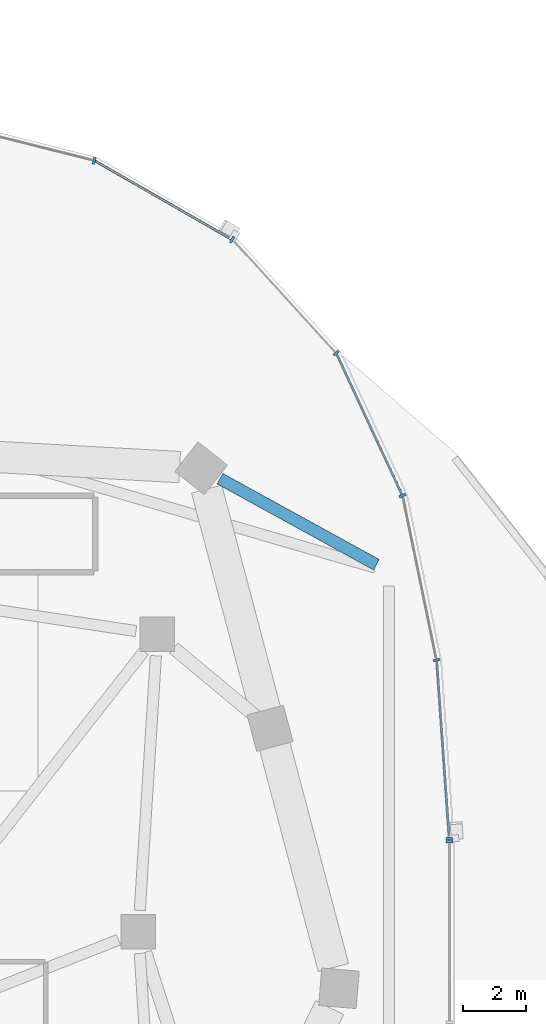
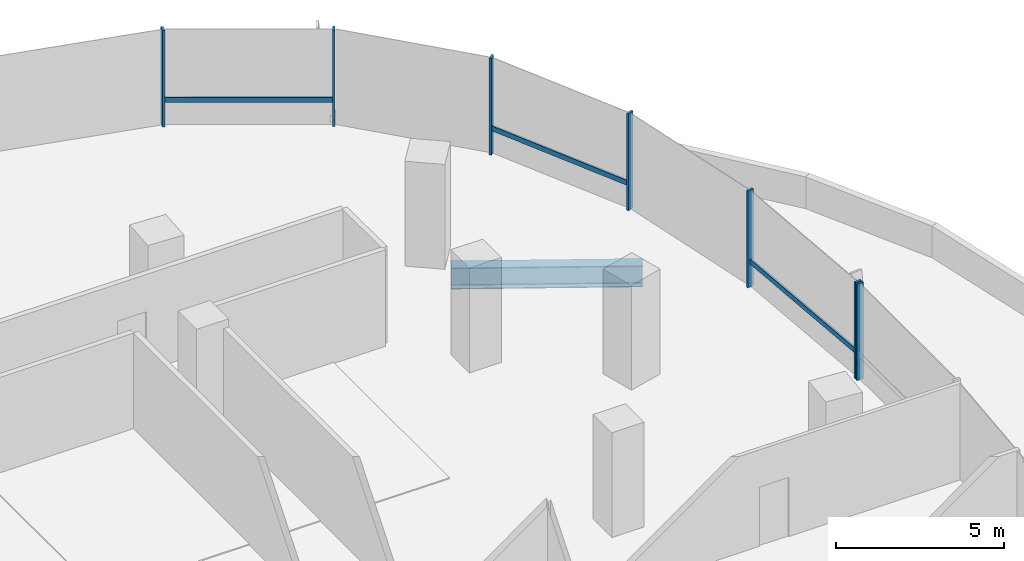
# One storey, part 15 of 28: 10 members, 1 beam, 2 elements without a shape of their own.
"""IFC4 building model written with IfcOpenShell, lengths in metres."""

from ifc_helpers import new_model, si_unit, direction, frame, origin, origin_2d, place, context, subcontext, project, spatial, rectangle, i_section, extrude, material, material_profile, profile_set, type_object, element, aggregate, save


model = new_model("IFC4")

# Units and contexts
model_context = context("Model", 3, precision=1e-05, world=origin(), true_north=direction((0.0, 1.0)))
body_context = subcontext(model_context, "Body", "Model", "MODEL_VIEW")
ifc_project = project(units=[si_unit("LENGTHUNIT", "METRE"), si_unit("AREAUNIT", "SQUARE_METRE"), si_unit("VOLUMEUNIT", "CUBIC_METRE"), si_unit("PLANEANGLEUNIT", "RADIAN"), si_unit("MASSUNIT", "GRAM", prefix="KILO"), si_unit("THERMODYNAMICTEMPERATUREUNIT", "KELVIN"), si_unit("POWERUNIT", "WATT")], contexts=[model_context])

# Site, building, storey
site_placement = place(None, origin())
site = spatial("IfcSite", under=ifc_project, at=site_placement, CompositionType="ELEMENT")
building_placement = place(site_placement, origin())
building = spatial("IfcBuilding", under=site, at=building_placement, Name="Cundina Bronze Exchange", CompositionType="ELEMENT")
storey_placement = place(building_placement, frame((0.0, 0.0, 24.0)))
storey = spatial("IfcBuildingStorey", under=building, at=storey_placement, Name="L05", CompositionType="ELEMENT", Elevation=24.0)

# Beam
ifc_material_1 = material(Name="Steel ASTM A992 Grade 50", Category="steel")
ifc_material_profile_1 = material_profile(ifc_material_1, i_section(OverallWidth=0.381103515625, OverallDepth=0.77294921875, WebThickness=0.0166015625, FlangeThickness=0.027099609375, FilletRadius=0.01904296875, at=origin_2d()), Name="W30X173", Category="steel")
ifc_profile_set_1 = profile_set([ifc_material_profile_1], Name="Steel ASTM A992 Grade 50")
beam_type = type_object("IfcBeamType", Name="BM-RING-W30", PredefinedType="USERDEFINED", material=ifc_profile_set_1)
beam_placement = place(storey_placement, frame((48.794189453125, 11.72314453125, -0.69140625), z_axis=(-0.876211384386, 0.481926975663, 0.0), x_axis=(-0.481926975663, -0.876211384386, 0.0)))
element("IfcBeam", 1, at=beam_placement, inside=storey, type_object=beam_type, Name="L05 Podium Colonnade Tie Beam 07", ObjectType="GIRDER", PredefinedType="USERDEFINED", context=body_context, shape_type="SweptSolid", body=[
    extrude(i_section(OverallWidth=0.381103515625, OverallDepth=0.77294921875, WebThickness=0.0166015625, FlangeThickness=0.027099609375, FilletRadius=0.01904296875, at=origin_2d()), origin(), (0.0, 0.0, 1.0), 5.696533203125),
])

# Curtain wall, members
ifc_material_2 = material(Name="Anodised Bronze Aluminium 6063-T6", Category="aluminium")
curtain_wall_type = type_object("IfcCurtainWallType", Name="CWS-TRD-LOW", PredefinedType="NOTDEFINED", material=ifc_material_2)
curtain_wall_1_placement = place(storey_placement, origin())
curtain_wall_1 = element("IfcCurtainWall", 2, at=curtain_wall_1_placement, inside=storey, type_object=curtain_wall_type, Name="L05 CW-02 Curtain Wall Run CWR-L05-E1", PredefinedType="NOTDEFINED")
ifc_material_profile_2 = material_profile(ifc_material_2, rectangle(XDim=0.074951171875, YDim=0.219970703125, at=origin_2d()), Name="AL75X220", Category="aluminium")
ifc_profile_set_2 = profile_set([ifc_material_profile_2], Name="Anodised Bronze Aluminium 6063-T6")
member_type_1 = type_object("IfcMemberType", Name="CWM-MUL-220", PredefinedType="MULLION", material=ifc_profile_set_2)
member_1_placement = place(storey_placement, frame((51.12451171875, 2.976318359375, 0.0), z_axis=(0.0, 0.0, 1.0), x_axis=(-0.070278787473, 0.997527389113, 0.0)))
member_1 = element("IfcMember", 3, at=member_1_placement, type_object=member_type_1, Name="CW-02 Mullion 1", PredefinedType="MULLION", context=body_context, shape_type="SweptSolid", body=[
    extrude(rectangle(XDim=0.074951171875, YDim=0.219970703125, at=origin_2d()), origin(), (0.0, 0.0, 1.0), 3.5),
])
member_2_placement = place(storey_placement, frame((50.717041015625, 8.67822265625, 0.0), z_axis=(0.0, 0.0, 1.0), x_axis=(-0.201419845156, 0.979505000486, 0.0)))
member_2 = element("IfcMember", 4, at=member_2_placement, type_object=member_type_1, Name="CW-02 Mullion 2", PredefinedType="MULLION", context=body_context, shape_type="SweptSolid", body=[
    extrude(rectangle(XDim=0.074951171875, YDim=0.219970703125, at=origin_2d()), origin(), (0.0, 0.0, 1.0), 3.5),
])
member_3_placement = place(storey_placement, frame((49.6279296875, 13.931884765625, 0.0), z_axis=(0.0, 0.0, 1.0), x_axis=(-0.42087749791, 0.907117485088, 0.0)))
member_3 = element("IfcMember", 5, at=member_3_placement, type_object=member_type_1, Name="CW-02 Mullion 3", PredefinedType="MULLION", context=body_context, shape_type="SweptSolid", body=[
    extrude(rectangle(XDim=0.074951171875, YDim=0.219970703125, at=origin_2d()), origin(), (0.0, 0.0, 1.0), 3.5),
])
member_4_placement = place(storey_placement, frame((47.508544921875, 18.47705078125, 0.0), z_axis=(0.0, 0.0, 1.0), x_axis=(-0.674302387584, 0.738455340626, 0.0)))
member_4 = element("IfcMember", 6, at=member_4_placement, type_object=member_type_1, Name="CW-02 Mullion 4", PredefinedType="MULLION", context=body_context, shape_type="SweptSolid", body=[
    extrude(rectangle(XDim=0.074951171875, YDim=0.219970703125, at=origin_2d()), origin(), (0.0, 0.0, 1.0), 3.5),
])
member_5_placement = place(storey_placement, frame((44.189697265625, 22.097412109375, 0.0), z_axis=(0.0, 0.0, 1.0), x_axis=(-0.867070701164, 0.498185105339, 0.0)))
member_5 = element("IfcMember", 7, at=member_5_placement, type_object=member_type_1, Name="CW-02 Mullion 5", PredefinedType="MULLION", context=body_context, shape_type="SweptSolid", body=[
    extrude(rectangle(XDim=0.074951171875, YDim=0.219970703125, at=origin_2d()), origin(), (0.0, 0.0, 1.0), 3.5),
])
member_6_placement = place(storey_placement, frame((39.78515625, 24.61669921875, 0.0), z_axis=(0.0, 0.0, 1.0), x_axis=(-0.969488149345, 0.245138182011, 0.0)))
member_6 = element("IfcMember", 8, at=member_6_placement, type_object=member_type_1, Name="CW-02 Mullion 6", PredefinedType="MULLION", context=body_context, shape_type="SweptSolid", body=[
    extrude(rectangle(XDim=0.074951171875, YDim=0.219970703125, at=origin_2d()), origin(), (0.0, 0.0, 1.0), 3.5),
])

# Curtain wall, member
curtain_wall_2_placement = place(storey_placement, origin())
curtain_wall_2 = element("IfcCurtainWall", 9, at=curtain_wall_2_placement, inside=storey, type_object=curtain_wall_type, Name="L05 CW-02 Curtain Wall Run CWR-L05-E4", PredefinedType="NOTDEFINED")
member_7_placement = place(storey_placement, frame((51.1279296875, 2.880615234375, 0.0), z_axis=(0.0, 0.0, 1.0), x_axis=(0.0, 1.0, 0.0)))
member_7 = element("IfcMember", 10, at=member_7_placement, type_object=member_type_1, Name="CW-02 End Mullion", PredefinedType="MULLION", context=body_context, shape_type="SweptSolid", body=[
    extrude(rectangle(XDim=0.074951171875, YDim=0.219970703125, at=origin_2d()), origin(), (0.0, 0.0, 1.0), 3.5),
])
aggregate(curtain_wall_2, [member_7])

# Member
ifc_material_profile_3 = material_profile(ifc_material_2, rectangle(XDim=0.070068359375, YDim=0.179931640625, at=origin_2d()), Name="AL70X180", Category="aluminium")
ifc_profile_set_3 = profile_set([ifc_material_profile_3], Name="Anodised Bronze Aluminium 6063-T6")
member_type_2 = type_object("IfcMemberType", Name="CWM-TRN-180", PredefinedType="USERDEFINED", material=ifc_profile_set_3)
member_8_placement = place(storey_placement, frame((51.12158203125, 3.017333984375, 0.919921875), z_axis=(-0.070260714471, 0.997528662246, 0.0), x_axis=(-0.997528662246, -0.070260714471, 0.0)))
member_8 = element("IfcMember", 11, at=member_8_placement, type_object=member_type_2, Name="CW-02 Spandrel Transom 1", ObjectType="TRANSOM", PredefinedType="USERDEFINED", context=body_context, shape_type="SweptSolid", body=[
    extrude(rectangle(XDim=0.070068359375, YDim=0.179931640625, at=origin_2d()), origin(), (0.0, 0.0, 1.0), 5.629150390625),
])

member_9_placement = place(storey_placement, frame((49.610595703125, 13.96923828125, 0.919921875), z_axis=(-0.420811422796, 0.907148139195, 0.0), x_axis=(-0.907148139195, -0.420811422796, 0.0)))
member_9 = element("IfcMember", 12, at=member_9_placement, type_object=member_type_2, Name="CW-02 Spandrel Transom 3", ObjectType="TRANSOM", PredefinedType="USERDEFINED", context=body_context, shape_type="SweptSolid", body=[
    extrude(rectangle(XDim=0.070068359375, YDim=0.179931640625, at=origin_2d()), origin(), (0.0, 0.0, 1.0), 4.95166015625),
])

member_10_placement = place(storey_placement, frame((44.154052734375, 22.117919921875, 0.919921875), z_axis=(-0.867097475651, 0.498138502546, 0.0), x_axis=(-0.498138502546, -0.867097475651, 0.0)))
member_10 = element("IfcMember", 13, at=member_10_placement, type_object=member_type_2, Name="CW-02 Spandrel Transom 5", ObjectType="TRANSOM", PredefinedType="USERDEFINED", context=body_context, shape_type="SweptSolid", body=[
    extrude(rectangle(XDim=0.070068359375, YDim=0.179931640625, at=origin_2d()), origin(), (0.0, 0.0, 1.0), 5.00634765625),
])

aggregate(curtain_wall_1, [member_1, member_8, member_2, member_3, member_9, member_4, member_5, member_10, member_6])

save(model, "model.ifc")
